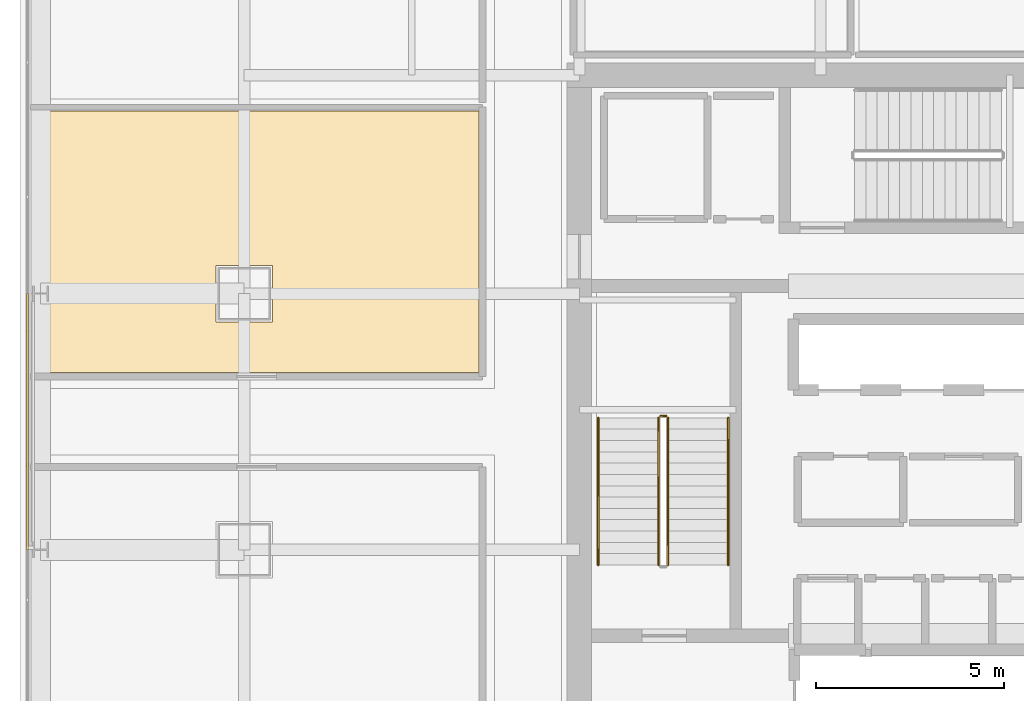
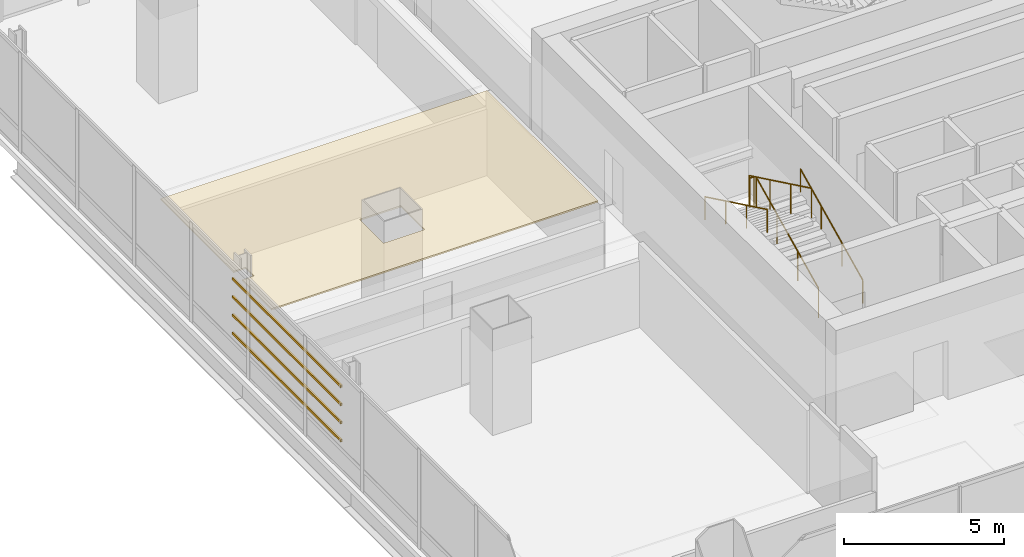
# One storey, part 35 of 38: 5 railings, 4 shading devices, 1 covering.
"""IFC4 building model written with IfcOpenShell, lengths in metres."""

from ifc_helpers import new_model, si_unit, direction, frame, origin, origin_2d, place, context, subcontext, project, spatial, polyline, hollow_rectangle, circle, outline, extrude, material, layer, layer_set, material_profile, profile_set, type_object, element, save


model = new_model("IFC4")

# Units and contexts
model_context = context("Model", 3, precision=1e-05, world=origin(), true_north=direction((0.0, 1.0)))
body_context = subcontext(model_context, "Body", "Model", "MODEL_VIEW")
ifc_project = project(units=[si_unit("LENGTHUNIT", "METRE"), si_unit("AREAUNIT", "SQUARE_METRE"), si_unit("VOLUMEUNIT", "CUBIC_METRE"), si_unit("PLANEANGLEUNIT", "RADIAN"), si_unit("MASSUNIT", "GRAM", prefix="KILO")], contexts=[model_context])

# Site, building, storey
site_placement = place(None, origin())
site = spatial("IfcSite", under=ifc_project, at=site_placement, CompositionType="ELEMENT")
building_placement = place(site_placement, origin())
building = spatial("IfcBuilding", under=site, at=building_placement, Name="Punatoya Terracotta Tower", CompositionType="ELEMENT")
storey_placement = place(building_placement, frame((0.0, 0.0, 143.85009765625)))
storey = spatial("IfcBuildingStorey", under=building, at=storey_placement, Name="L33", CompositionType="ELEMENT", Elevation=143.85009765625)

# Covering
ifc_material_1 = material(Name="Acoustic Mineral Fibre Ceiling")
ifc_layer = layer(ifc_material_1, 0.06005859375)
ifc_layer_set = layer_set([ifc_layer], Name="Acoustic Mineral Fibre Ceiling")
covering_type = type_object("IfcCoveringType", Name="COV-CEIL-60", PredefinedType="CEILING", material=ifc_layer_set)
covering_placement = place(storey_placement, frame((0.0, 0.0, 3.219970703125)))
element("IfcCovering", 1, at=covering_placement, inside=storey, type_object=covering_type, Name="L33 Open-Plan Environmental Research Laboratory Acoustic Ceiling", PredefinedType="CEILING", context=body_context, shape_type="SweptSolid", body=[
    extrude(outline(polyline([(-12.8701171875, 1.300048828125), (-12.8701171875, 8.2490234375), (-24.669921875, 8.2490234375), (-24.669921875, 3.66259765625), (-24.24560546875, 3.66259765625), (-24.24560546875, 3.137451171875), (-24.669921875, 3.137451171875), (-24.669921875, 1.300048828125), (-12.8701171875, 1.300048828125)]), holes=[polyline([(-18.35009765625, 4.14990234375), (-18.35009765625, 2.64990234375), (-19.85009765625, 2.64990234375), (-19.85009765625, 4.14990234375), (-18.35009765625, 4.14990234375)])]), origin(), (0.0, 0.0, 1.0), 0.059814453125),
])

# Railings
ifc_material_2 = material(Name="Steel S355", Category="steel")
railing_type_1 = type_object("IfcRailingType", Name="RLG-GRD-1150", PredefinedType="GUARDRAIL", material=ifc_material_2)
railing_1_placement = place(storey_placement, frame((-7.85009765625, -3.800048828125, 0.14453125)))
element("IfcRailing", 2, at=railing_1_placement, inside=storey, type_object=railing_type_1, Name="L33 ST-1 stair guard 1", PredefinedType="GUARDRAIL", context=body_context, shape_type="SweptSolid", body=[
    extrude(circle(Radius=0.02392578125, at=origin_2d()), frame((0.0, 0.0, 1.1259765625), z_axis=(0.0, 0.900773802044, 0.434288564841), x_axis=(-1.0, 0.0, 0.0)), (0.0, 0.0, 1.0), 4.329833984375),
    extrude(circle(Radius=0.02099609375, at=origin_2d()), origin(), (0.0, 0.0, 1.0), 1.101806640625),
    extrude(circle(Radius=0.02099609375, at=origin_2d()), frame((0.0, 1.300048828125, 0.626708984375)), (0.0, 0.0, 1.0), 1.101806640625),
    extrude(circle(Radius=0.02099609375, at=origin_2d()), frame((0.0, 2.60009765625, 1.253662109375)), (0.0, 0.0, 1.0), 1.101806640625),
    extrude(circle(Radius=0.02099609375, at=origin_2d()), frame((0.0, 3.900146484375, 1.88037109375)), (0.0, 0.0, 1.0), 1.101806640625),
])
railing_2_placement = place(storey_placement, frame((-7.89990234375, 0.14990234375, 2.02490234375)))
element("IfcRailing", 3, at=railing_2_placement, inside=storey, type_object=railing_type_1, Name="L33 ST-1 stair guard 2", PredefinedType="GUARDRAIL", context=body_context, shape_type="SweptSolid", body=[
    extrude(circle(Radius=0.02392578125, at=origin_2d()), frame((0.0, 0.0, 1.1259765625), z_axis=(-1.0, 0.0, 0.0), x_axis=(0.0, -1.0, 0.0)), (0.0, 0.0, 1.0), 0.150146484375),
    extrude(circle(Radius=0.02099609375, at=origin_2d()), origin(), (0.0, 0.0, 1.0), 1.101806640625),
    extrude(circle(Radius=0.02099609375, at=origin_2d()), frame((-0.150146484375, 0.0, 0.0)), (0.0, 0.0, 1.0), 1.101806640625),
])
railing_3_placement = place(storey_placement, frame((-8.10009765625, 0.10009765625, 2.16943359375)))
element("IfcRailing", 4, at=railing_3_placement, inside=storey, type_object=railing_type_1, Name="L33 ST-1 stair guard 3", PredefinedType="GUARDRAIL", context=body_context, shape_type="SweptSolid", body=[
    extrude(circle(Radius=0.02392578125, at=origin_2d()), frame((0.0, 0.0, 1.1259765625), z_axis=(0.0, -0.900773802044, 0.434288564841), x_axis=(1.0, 0.0, 0.0)), (0.0, 0.0, 1.0), 4.329833984375),
    extrude(circle(Radius=0.02099609375, at=origin_2d()), origin(), (0.0, 0.0, 1.0), 1.101806640625),
    extrude(circle(Radius=0.02099609375, at=origin_2d()), frame((0.0, -1.300048828125, 0.626708984375)), (0.0, 0.0, 1.0), 1.101806640625),
    extrude(circle(Radius=0.02099609375, at=origin_2d()), frame((0.0, -2.60009765625, 1.253662109375)), (0.0, 0.0, 1.0), 1.101806640625),
    extrude(circle(Radius=0.02099609375, at=origin_2d()), frame((0.0, -3.900146484375, 1.88037109375)), (0.0, 0.0, 1.0), 1.101806640625),
])
railing_type_2 = type_object("IfcRailingType", Name="RLG-HND-900", PredefinedType="HANDRAIL", material=ifc_material_2)
railing_4_placement = place(storey_placement, frame((-6.25, -3.800048828125, 0.14453125)))
element("IfcRailing", 5, at=railing_4_placement, inside=storey, type_object=railing_type_2, Name="L33 ST-1 stair handrail 1", PredefinedType="HANDRAIL", context=body_context, shape_type="SweptSolid", body=[
    extrude(circle(Radius=0.02392578125, at=origin_2d()), frame((0.0, 0.0, 0.8759765625), z_axis=(0.0, 0.900773802044, 0.434288564841), x_axis=(-1.0, 0.0, 0.0)), (0.0, 0.0, 1.0), 4.329833984375),
    extrude(circle(Radius=0.02099609375, at=origin_2d()), origin(), (0.0, 0.0, 1.0), 0.851806640625),
    extrude(circle(Radius=0.02099609375, at=origin_2d()), frame((0.0, 1.300048828125, 0.626708984375)), (0.0, 0.0, 1.0), 0.851806640625),
    extrude(circle(Radius=0.02099609375, at=origin_2d()), frame((0.0, 2.60009765625, 1.253662109375)), (0.0, 0.0, 1.0), 0.851806640625),
    extrude(circle(Radius=0.02099609375, at=origin_2d()), frame((0.0, 3.900146484375, 1.88037109375)), (0.0, 0.0, 1.0), 0.851806640625),
])
railing_5_placement = place(storey_placement, frame((-9.699951171875, 0.10009765625, 2.16943359375)))
element("IfcRailing", 6, at=railing_5_placement, inside=storey, type_object=railing_type_2, Name="L33 ST-1 stair handrail 2", PredefinedType="HANDRAIL", context=body_context, shape_type="SweptSolid", body=[
    extrude(circle(Radius=0.02392578125, at=origin_2d()), frame((0.0, 0.0, 0.8759765625), z_axis=(0.0, -0.900773802044, 0.434288564841), x_axis=(1.0, 0.0, 0.0)), (0.0, 0.0, 1.0), 4.329833984375),
    extrude(circle(Radius=0.02099609375, at=origin_2d()), origin(), (0.0, 0.0, 1.0), 0.851806640625),
    extrude(circle(Radius=0.02099609375, at=origin_2d()), frame((0.0, -1.300048828125, 0.626708984375)), (0.0, 0.0, 1.0), 0.851806640625),
    extrude(circle(Radius=0.02099609375, at=origin_2d()), frame((0.0, -2.60009765625, 1.253662109375)), (0.0, 0.0, 1.0), 0.851806640625),
    extrude(circle(Radius=0.02099609375, at=origin_2d()), frame((0.0, -3.900146484375, 1.88037109375)), (0.0, 0.0, 1.0), 0.851806640625),
])

# Shading devices
ifc_material_3 = material(Name="Architectural Fired Terracotta", Category="masonry")
ifc_material_profile = material_profile(ifc_material_3, hollow_rectangle(XDim=0.06005859375, YDim=0.090087890625, WallThickness=0.013916015625, at=origin_2d()))
ifc_profile_set = profile_set([ifc_material_profile], Name="Architectural Fired Terracotta")
shading_device_type = type_object("IfcShadingDeviceType", Name="SHD-JALI-90", PredefinedType="JALOUSIE", material=ifc_profile_set)
for number, where, z_axis, x_axis, name in (
    (7, (-24.8525390625, -3.39990234375, 1.14990234375), (0.0, 1.0, 0.0), (-1.0, 0.0, 0.0), "L33 Fired Terracotta Baguette Louvre BAG-L33-W-01"),
    (8, (-24.8525390625, -3.39990234375, 1.84326171875), (0.0, 1.0, 0.0), (-1.0, 0.0, 0.0), "L33 Fired Terracotta Baguette Louvre BAG-L33-W-02"),
    (9, (-24.8525390625, -3.39990234375, 2.53662109375), (0.0, 1.0, 0.0), (-1.0, 0.0, 0.0), "L33 Fired Terracotta Baguette Louvre BAG-L33-W-03"),
    (10, (-24.8525390625, -3.39990234375, 3.22998046875), (0.0, 1.0, 0.0), (-1.0, 0.0, 0.0), "L33 Fired Terracotta Baguette Louvre BAG-L33-W-04"),
):
    element("IfcShadingDevice", number, at=place(storey_placement, frame(where, z_axis=z_axis, x_axis=x_axis)), inside=storey, type_object=shading_device_type, Name=name, PredefinedType="JALOUSIE", context=body_context, shape_type="SweptSolid", body=[
        extrude(hollow_rectangle(XDim=0.06005859375, YDim=0.090087890625, WallThickness=0.013916015625, at=origin_2d()), origin(), (0.0, 0.0, 1.0), 6.7998046875),
    ])

save(model, "model.ifc")
